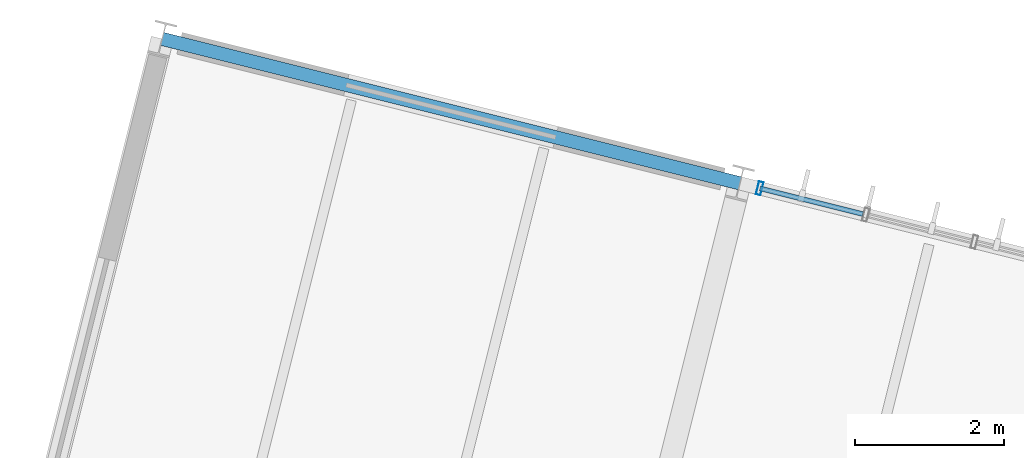
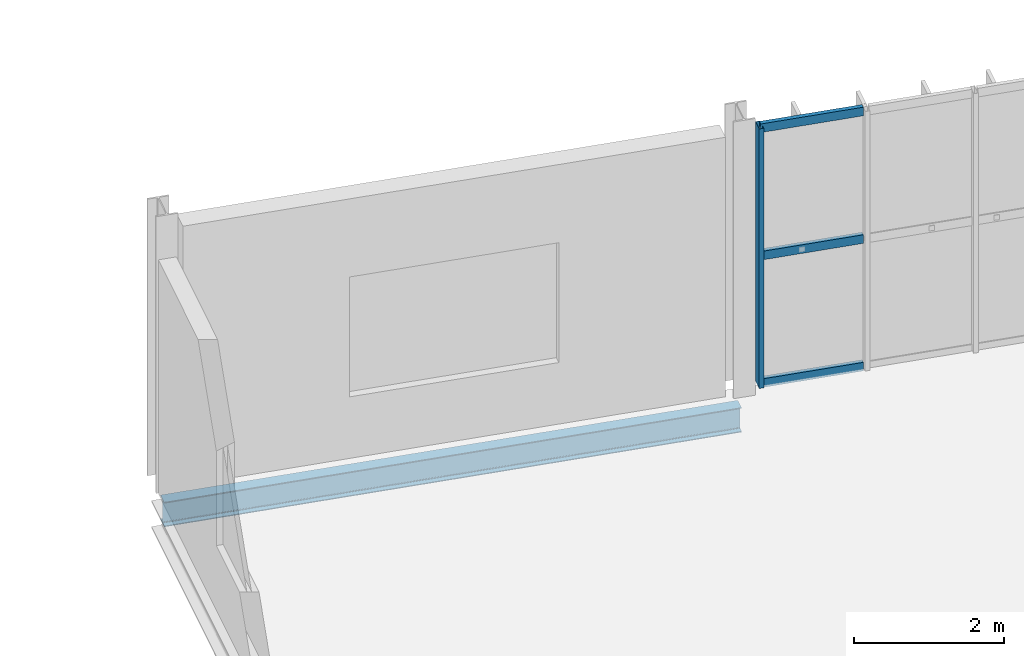
# One storey, part 84 of 152: 4 members, 1 beam, 1 element without a shape of its own.
"""IFC4 building model written with IfcOpenShell, lengths in metres."""

from ifc_helpers import new_model, si_unit, derived_unit, direction, frame, origin, origin_2d, place, context, subcontext, project, spatial, hollow_rectangle, i_section, extrude, material, material_profile, profile_set, type_object, element, aggregate, save


model = new_model("IFC4")

# Units and contexts
model_context = context("Model", 3, precision=1e-05, world=origin(), true_north=direction((0.0, 1.0)))
body_context = subcontext(model_context, "Body", "Model", "MODEL_VIEW")
ifc_project = project(units=[si_unit("LENGTHUNIT", "METRE"), si_unit("AREAUNIT", "SQUARE_METRE"), si_unit("VOLUMEUNIT", "CUBIC_METRE"), si_unit("PLANEANGLEUNIT", "RADIAN"), si_unit("MASSUNIT", "GRAM", prefix="KILO"), si_unit("THERMODYNAMICTEMPERATUREUNIT", "KELVIN"), si_unit("TIMEUNIT", "SECOND"), derived_unit("THERMALTRANSMITTANCEUNIT", [(si_unit("MASSUNIT", "GRAM", prefix="KILO"), 1), (si_unit("THERMODYNAMICTEMPERATUREUNIT", "KELVIN"), -1), (si_unit("TIMEUNIT", "SECOND"), -3)])], contexts=[model_context])

# Site, building, storey
site_placement = place(None, origin())
site = spatial("IfcSite", under=ifc_project, at=site_placement, CompositionType="ELEMENT")
building_placement = place(site_placement, origin())
building = spatial("IfcBuilding", under=site, at=building_placement, Name="Cambertide Market Hall", CompositionType="ELEMENT")
storey_placement = place(building_placement, frame((0.0, 0.0, 5.39990234375)))
storey = spatial("IfcBuildingStorey", under=building, at=storey_placement, Name="L02", CompositionType="ELEMENT", Elevation=5.39990234375)

# Curtain wall, members
ifc_material_1 = material(Name="Marine Anodized Aluminium 6063-T6 AA25", Category="aluminium")
curtain_wall_type = type_object("IfcCurtainWallType", Name="Culinary Teaching Kitchen Curtain Wall", PredefinedType="USERDEFINED", material=ifc_material_1)
curtain_wall_placement = place(storey_placement, origin())
curtain_wall = element("IfcCurtainWall", 1, at=curtain_wall_placement, inside=storey, type_object=curtain_wall_type, Name="Level 2 Curtain Wall CW-V4N-L02-2", ObjectType="UNITIZED CURTAIN WALL", PredefinedType="USERDEFINED")
ifc_material_2 = material(Name="Champagne Marine Anodized Aluminium 6063-T6 AA25", Category="aluminium")
ifc_material_profile_1 = material_profile(ifc_material_2, hollow_rectangle(XDim=0.06494140625, YDim=0.179931640625, WallThickness=0.00390625, at=origin_2d()), Name="ALU MULLION 65x180")
ifc_profile_set_1 = profile_set([ifc_material_profile_1], Name="Champagne Marine Anodized Aluminium 6063-T6 AA25")
member_type_1 = type_object("IfcMemberType", Name="Curtain Wall Mullion ALU MULLION 65x180", PredefinedType="MULLION", material=ifc_profile_set_1)
member_1_placement = place(storey_placement, frame((122.576416015625, 124.186767578125, 0.0), z_axis=(0.0, 0.0, 1.0), x_axis=(0.970142500145, -0.242535625038, 0.0)))
member_1 = element("IfcMember", 2, at=member_1_placement, type_object=member_type_1, Name="CW-V4N-L02-2 Mullion 1", PredefinedType="MULLION", context=body_context, shape_type="SweptSolid", body=[
    extrude(hollow_rectangle(XDim=0.06494140625, YDim=0.179931640625, WallThickness=0.00390625, at=origin_2d()), origin(), (0.0, 0.0, 1.0), 4.22021484375),
])
ifc_material_3 = material(Name="Champagne Marine Anodized Aluminium 6063-T6 AA25", Category="aluminium")
ifc_material_profile_2 = material_profile(ifc_material_3, hollow_rectangle(XDim=0.06494140625, YDim=0.139892578125, WallThickness=0.00341796875, at=origin_2d()), Name="ALU TRANSOM 65x140")
ifc_profile_set_2 = profile_set([ifc_material_profile_2], Name="Champagne Marine Anodized Aluminium 6063-T6 AA25")
member_type_2 = type_object("IfcMemberType", Name="Curtain Wall Transom ALU TRANSOM 65x140", PredefinedType="USERDEFINED", material=ifc_profile_set_2)
member_2_placement = place(storey_placement, frame((122.581298828125, 124.185546875, 0.03515625), z_axis=(0.970162669427, -0.242454933646, 0.0), x_axis=(0.242454933646, 0.970162669427, 0.0)))
member_2 = element("IfcMember", 3, at=member_2_placement, type_object=member_type_2, Name="CW-V4N-L02-2 Transom 1-1", ObjectType="TRANSOM", PredefinedType="USERDEFINED", context=body_context, shape_type="SweptSolid", body=[
    extrude(hollow_rectangle(XDim=0.06494140625, YDim=0.139892578125, WallThickness=0.00341796875, at=origin_2d()), origin(), (0.0, 0.0, 1.0), 1.423828125),
])
member_3_placement = place(storey_placement, frame((122.581298828125, 124.185546875, 2.110107421875), z_axis=(0.970162669427, -0.242454933646, 0.0), x_axis=(0.242454933646, 0.970162669427, 0.0)))
member_3 = element("IfcMember", 4, at=member_3_placement, type_object=member_type_2, Name="CW-V4N-L02-2 Transom 2-1", ObjectType="TRANSOM", PredefinedType="USERDEFINED", context=body_context, shape_type="SweptSolid", body=[
    extrude(hollow_rectangle(XDim=0.06494140625, YDim=0.139892578125, WallThickness=0.00341796875, at=origin_2d()), origin(), (0.0, 0.0, 1.0), 1.423828125),
])
member_4_placement = place(storey_placement, frame((122.581298828125, 124.185546875, 4.18505859375), z_axis=(0.970162669427, -0.242454933646, 0.0), x_axis=(0.242454933646, 0.970162669427, 0.0)))
member_4 = element("IfcMember", 5, at=member_4_placement, type_object=member_type_2, Name="CW-V4N-L02-2 Transom 3-1", ObjectType="TRANSOM", PredefinedType="USERDEFINED", context=body_context, shape_type="SweptSolid", body=[
    extrude(hollow_rectangle(XDim=0.06494140625, YDim=0.139892578125, WallThickness=0.00341796875, at=origin_2d()), origin(), (0.0, 0.0, 1.0), 1.423828125),
])
aggregate(curtain_wall, [member_1, member_2, member_3, member_4])

# Beam
ifc_material_4 = material(Name="Steel S355", Category="steel")
ifc_material_profile_3 = material_profile(ifc_material_4, i_section(OverallWidth=0.179931640625, OverallDepth=0.39990234375, WebThickness=0.008544921875, FlangeThickness=0.013427734375, FilletRadius=0.02099609375, at=origin_2d()), Name="IPE 400")
ifc_profile_set_3 = profile_set([ifc_material_profile_3], Name="Steel S355")
beam_type = type_object("IfcBeamType", Name="Perimeter Spandrel Beam IPE 400", PredefinedType="SPANDREL", material=ifc_profile_set_3)
beam_placement = place(storey_placement, frame((114.548583984375, 126.19384765625, -0.46484375), z_axis=(0.970144295309, -0.242528444268, 0.0), x_axis=(0.242528444268, 0.970144295309, 0.0)))
element("IfcBeam", 6, at=beam_placement, inside=storey, type_object=beam_type, Name="Level 2 Spandrel BM-V4U-L02-1-4", PredefinedType="SPANDREL", context=body_context, shape_type="SweptSolid", body=[
    extrude(i_section(OverallWidth=0.179931640625, OverallDepth=0.39990234375, WebThickness=0.008544921875, FlangeThickness=0.013427734375, FilletRadius=0.02099609375, at=origin_2d()), origin(), (0.0, 0.0, 1.0), 7.999755859375),
])

save(model, "model.ifc")
